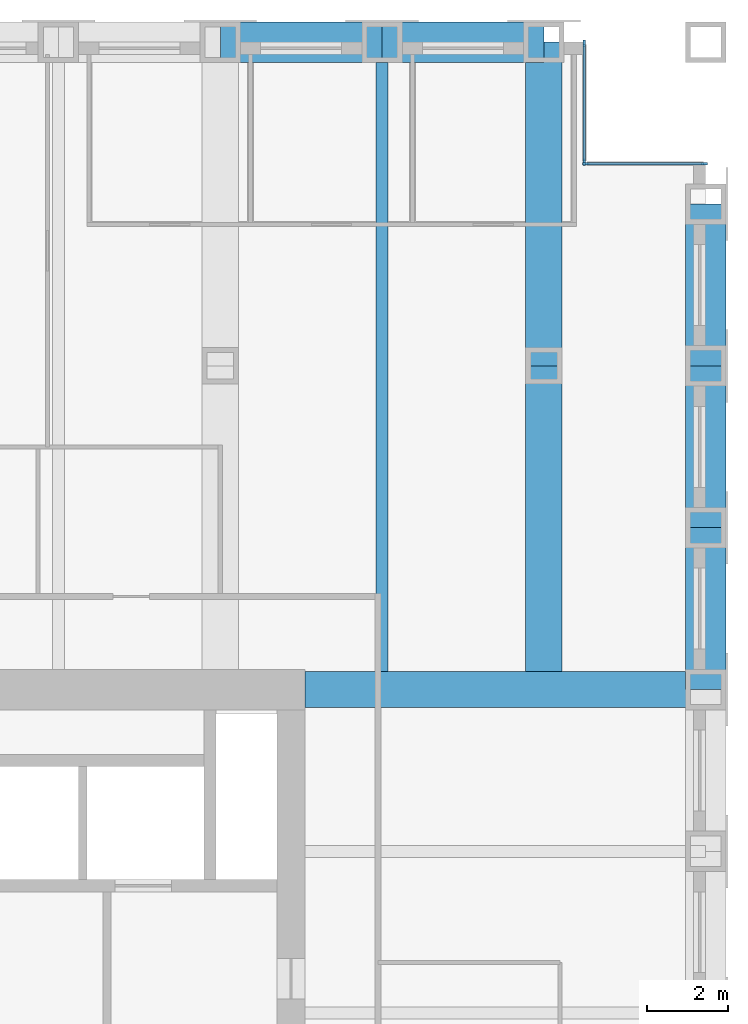
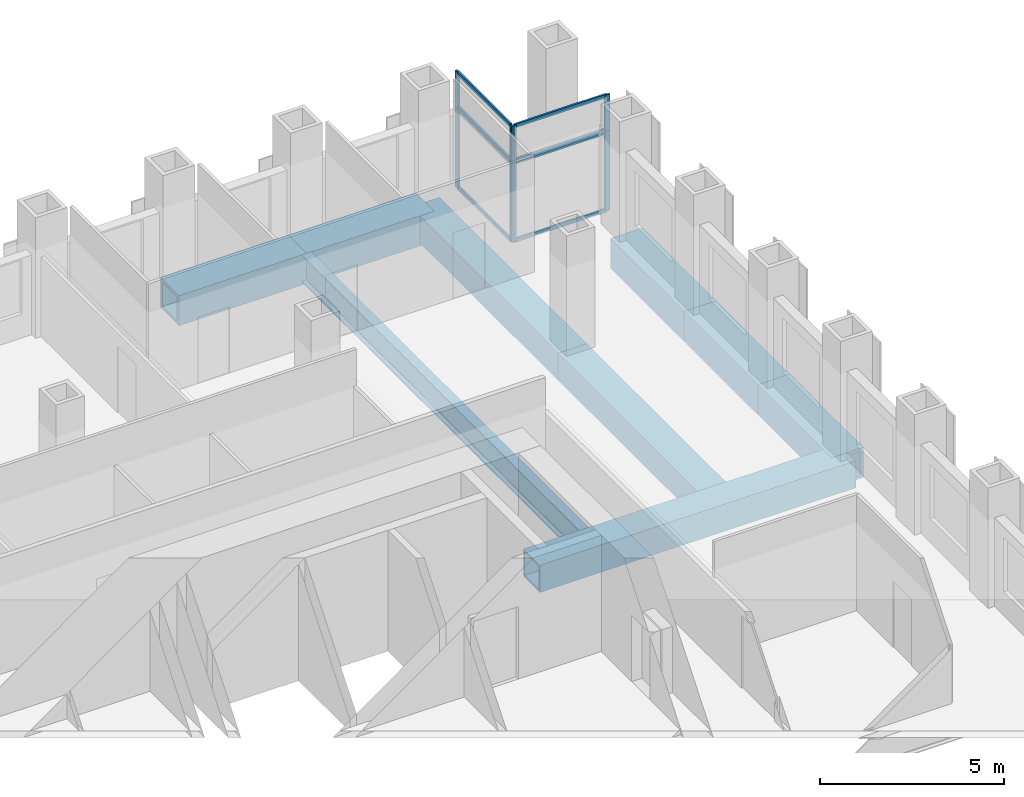
# One storey, part 6 of 12: 16 members, 9 beams, 4 elements without a shape of their own.
"""IFC4 building model written with IfcOpenShell, lengths in metres."""

from ifc_helpers import new_model, si_unit, direction, frame, origin, origin_2d, place, context, subcontext, project, spatial, rectangle, hollow_rectangle, i_section, extrude, material, material_profile, profile_set, type_object, element, aggregate, save


model = new_model("IFC4")

# Units and contexts
model_context = context("Model", 3, precision=1e-05, world=origin(), true_north=direction((0.0, 1.0)))
body_context = subcontext(model_context, "Body", "Model", "MODEL_VIEW")
ifc_project = project(units=[si_unit("LENGTHUNIT", "METRE"), si_unit("AREAUNIT", "SQUARE_METRE"), si_unit("VOLUMEUNIT", "CUBIC_METRE"), si_unit("PLANEANGLEUNIT", "RADIAN"), si_unit("MASSUNIT", "GRAM", prefix="KILO")], contexts=[model_context])

# Site, building, storey
site_placement = place(None, origin())
site = spatial("IfcSite", under=ifc_project, at=site_placement, CompositionType="ELEMENT")
building_placement = place(site_placement, origin())
building = spatial("IfcBuilding", under=site, at=building_placement, Name="Rimbunsela Tower", CompositionType="ELEMENT")
storey_placement = place(building_placement, frame((0.0, 0.0, 167.800048828125)))
storey = spatial("IfcBuildingStorey", under=building, at=storey_placement, Name="L40", CompositionType="ELEMENT", Elevation=167.800048828125)

# Beams
ifc_material_1 = material(Name="Steel BJ 55 (fy 410 MPa)", Category="steel")
ifc_material_profile_1 = material_profile(ifc_material_1, hollow_rectangle(XDim=1.0, YDim=1.0, WallThickness=0.10009765625, at=origin_2d()), Name="BOX 1000x1000x100")
ifc_profile_set_1 = profile_set([ifc_material_profile_1], Name="Steel BJ 55 (fy 410 MPa)")
beam_type_1 = type_object("IfcBeamType", Name="Beam BOX 1000x1000x100", PredefinedType="BEAM", material=ifc_profile_set_1)
for number, where, z_axis, x_axis, name in (
    (1, (34.0, 52.0, -0.650146484375), (1.0, 0.0, 0.0), (0.0, 1.0, 0.0), "Beam B3 L40"),
    (2, (38.0, 52.0, -0.650146484375), (1.0, 0.0, 0.0), (0.0, 1.0, 0.0), "Beam B3 L40"),
    (3, (46.0, 36.0, -0.650146484375), (0.0, 1.0, 0.0), (-1.0, 0.0, 0.0), "Beam B3 L40"),
    (4, (46.0, 40.0, -0.650146484375), (0.0, 1.0, 0.0), (-1.0, 0.0, 0.0), "Beam B3 L40"),
    (5, (46.0, 44.0, -0.650146484375), (0.0, 1.0, 0.0), (-1.0, 0.0, 0.0), "Beam B3 L40"),
):
    element("IfcBeam", number, at=place(storey_placement, frame(where, z_axis=z_axis, x_axis=x_axis)), inside=storey, type_object=beam_type_1, Name=name, PredefinedType="BEAM", context=body_context, shape_type="SweptSolid", body=[
        extrude(hollow_rectangle(XDim=1.0, YDim=1.0, WallThickness=0.10009765625, at=origin_2d()), origin(), (0.0, 0.0, 1.0), 4.0),
    ])
ifc_material_2 = material(Name="Steel BJ 55 (fy 410 MPa)", Category="steel")
ifc_material_profile_2 = material_profile(ifc_material_2, hollow_rectangle(XDim=0.89990234375, YDim=0.89990234375, WallThickness=0.06005859375, at=origin_2d()), Name="BOX 900x900x60")
ifc_profile_set_2 = profile_set([ifc_material_profile_2], Name="Steel BJ 55 (fy 410 MPa)")
beam_type_2 = type_object("IfcBeamType", Name="Beam BOX 900x900x60", PredefinedType="BEAM", material=ifc_profile_set_2)
beam_1_placement = place(storey_placement, frame((36.10009765625, 36.0, -0.60009765625), z_axis=(1.0, 0.0, 0.0), x_axis=(0.0, 1.0, 0.0)))
element("IfcBeam", 6, at=beam_1_placement, inside=storey, type_object=beam_type_2, Name="Beam B1 L40", PredefinedType="BEAM", context=body_context, shape_type="SweptSolid", body=[
    extrude(hollow_rectangle(XDim=0.89990234375, YDim=0.89990234375, WallThickness=0.06005859375, at=origin_2d()), origin(), (0.0, 0.0, 1.0), 9.89990234375),
])
beam_2_placement = place(storey_placement, frame((42.0, 36.449951171875, -0.60009765625), z_axis=(0.0, 1.0, 0.0), x_axis=(-1.0, 0.0, 0.0)))
element("IfcBeam", 7, at=beam_2_placement, inside=storey, type_object=beam_type_2, Name="Beam B1 L40", PredefinedType="BEAM", context=body_context, shape_type="SweptSolid", body=[
    extrude(hollow_rectangle(XDim=0.89990234375, YDim=0.89990234375, WallThickness=0.06005859375, at=origin_2d()), origin(), (0.0, 0.0, 1.0), 7.550048828125),
])
beam_3_placement = place(storey_placement, frame((42.0, 44.0, -0.60009765625), z_axis=(0.0, 1.0, 0.0), x_axis=(-1.0, 0.0, 0.0)))
element("IfcBeam", 8, at=beam_3_placement, inside=storey, type_object=beam_type_2, Name="Beam B1 L40", PredefinedType="BEAM", context=body_context, shape_type="SweptSolid", body=[
    extrude(hollow_rectangle(XDim=0.89990234375, YDim=0.89990234375, WallThickness=0.06005859375, at=origin_2d()), origin(), (0.0, 0.0, 1.0), 8.0),
])
ifc_material_3 = material(Name="Steel BJ 55 (fy 410 MPa)", Category="steel")
ifc_material_profile_3 = material_profile(ifc_material_3, i_section(OverallWidth=0.300048828125, OverallDepth=0.89990234375, WebThickness=0.01611328125, FlangeThickness=0.028076171875, FilletRadius=0.028076171875, at=origin_2d()), Name="H 900x300x16x28")
ifc_profile_set_3 = profile_set([ifc_material_profile_3], Name="Steel BJ 55 (fy 410 MPa)")
beam_type_3 = type_object("IfcBeamType", Name="Beam H 900x300x16x28", PredefinedType="BEAM", material=ifc_profile_set_3)
beam_4_placement = place(storey_placement, frame((38.0, 36.449951171875, -0.60009765625), z_axis=(0.0, 1.0, 0.0), x_axis=(-1.0, 0.0, 0.0)))
element("IfcBeam", 9, at=beam_4_placement, inside=storey, type_object=beam_type_3, Name="Beam B2 L40", PredefinedType="BEAM", context=body_context, shape_type="SweptSolid", body=[
    extrude(i_section(OverallWidth=0.300048828125, OverallDepth=0.89990234375, WebThickness=0.01611328125, FlangeThickness=0.028076171875, FilletRadius=0.028076171875, at=origin_2d()), origin(), (0.0, 0.0, 1.0), 15.550048828125),
])

# Curtain wall, members
ifc_material_4 = material(Name="Aluminium curtain wall", Category="aluminium")
curtain_wall_type_1 = type_object("IfcCurtainWallType", Name="Corner glazing", PredefinedType="USERDEFINED", material=ifc_material_4)
curtain_wall_1_placement = place(storey_placement, origin())
curtain_wall_1 = element("IfcCurtainWall", 10, at=curtain_wall_1_placement, inside=storey, type_object=curtain_wall_type_1, Name="Corner glazing L40", ObjectType="CORNER GLAZING", PredefinedType="USERDEFINED")
ifc_material_5 = material(Name="Aluminium mullion", Category="aluminium")
ifc_material_profile_4 = material_profile(ifc_material_5, rectangle(XDim=0.06005859375, YDim=0.159912109375, at=origin_2d()), Name="Mullion 60x160")
ifc_profile_set_4 = profile_set([ifc_material_profile_4], Name="Aluminium mullion")
member_type_1 = type_object("IfcMemberType", Name="Curtain wall mullion 60x160", PredefinedType="MULLION", material=ifc_profile_set_4)
member_1_placement = place(storey_placement, frame((45.969970703125, 49.0, 0.0), z_axis=(0.0, 0.0, 1.0), x_axis=(0.0, -1.0, 0.0)))
member_1 = element("IfcMember", 11, at=member_1_placement, type_object=member_type_1, Name="CW5 mullion 1", PredefinedType="MULLION", context=body_context, shape_type="SweptSolid", body=[
    extrude(rectangle(XDim=0.06005859375, YDim=0.159912109375, at=origin_2d()), origin(), (0.0, 0.0, 1.0), 2.64990234375),
])
member_2_placement = place(storey_placement, frame((43.030029296875, 49.0, 0.0), z_axis=(0.0, 0.0, 1.0), x_axis=(0.0, -1.0, 0.0)))
member_2 = element("IfcMember", 12, at=member_2_placement, type_object=member_type_1, Name="CW5 mullion 2", PredefinedType="MULLION", context=body_context, shape_type="SweptSolid", body=[
    extrude(rectangle(XDim=0.06005859375, YDim=0.159912109375, at=origin_2d()), origin(), (0.0, 0.0, 1.0), 2.64990234375),
])

ifc_material_6 = material(Name="Aluminium curtain wall", Category="aluminium")
curtain_wall_type_2 = type_object("IfcCurtainWallType", Name="Spandrel wall", PredefinedType="USERDEFINED", material=ifc_material_6)
curtain_wall_2_placement = place(storey_placement, origin())
curtain_wall_2 = element("IfcCurtainWall", 13, at=curtain_wall_2_placement, inside=storey, type_object=curtain_wall_type_2, Name="Spandrel wall L40", ObjectType="SPANDREL WALL", PredefinedType="USERDEFINED")
member_3_placement = place(storey_placement, frame((45.969970703125, 49.0, 2.64990234375), z_axis=(0.0, 0.0, 1.0), x_axis=(0.0, -1.0, 0.0)))
member_3 = element("IfcMember", 14, at=member_3_placement, type_object=member_type_1, Name="CW7 mullion 1", PredefinedType="MULLION", context=body_context, shape_type="SweptSolid", body=[
    extrude(rectangle(XDim=0.06005859375, YDim=0.159912109375, at=origin_2d()), origin(), (0.0, 0.0, 1.0), 1.199951171875),
])
member_4_placement = place(storey_placement, frame((43.030029296875, 49.0, 2.64990234375), z_axis=(0.0, 0.0, 1.0), x_axis=(0.0, -1.0, 0.0)))
member_4 = element("IfcMember", 15, at=member_4_placement, type_object=member_type_1, Name="CW7 mullion 2", PredefinedType="MULLION", context=body_context, shape_type="SweptSolid", body=[
    extrude(rectangle(XDim=0.06005859375, YDim=0.159912109375, at=origin_2d()), origin(), (0.0, 0.0, 1.0), 1.199951171875),
])

curtain_wall_3_placement = place(storey_placement, origin())
curtain_wall_3 = element("IfcCurtainWall", 16, at=curtain_wall_3_placement, inside=storey, type_object=curtain_wall_type_1, Name="Corner glazing L40", ObjectType="CORNER GLAZING", PredefinedType="USERDEFINED")
member_5_placement = place(storey_placement, frame((43.0, 49.030029296875, 0.0), z_axis=(0.0, 0.0, 1.0), x_axis=(-1.0, 0.0, 0.0)))
member_5 = element("IfcMember", 17, at=member_5_placement, type_object=member_type_1, Name="CW5 mullion 1", PredefinedType="MULLION", context=body_context, shape_type="SweptSolid", body=[
    extrude(rectangle(XDim=0.06005859375, YDim=0.159912109375, at=origin_2d()), origin(), (0.0, 0.0, 1.0), 2.64990234375),
])
member_6_placement = place(storey_placement, frame((43.0, 51.969970703125, 0.0), z_axis=(0.0, 0.0, 1.0), x_axis=(-1.0, 0.0, 0.0)))
member_6 = element("IfcMember", 18, at=member_6_placement, type_object=member_type_1, Name="CW5 mullion 2", PredefinedType="MULLION", context=body_context, shape_type="SweptSolid", body=[
    extrude(rectangle(XDim=0.06005859375, YDim=0.159912109375, at=origin_2d()), origin(), (0.0, 0.0, 1.0), 2.64990234375),
])

curtain_wall_4_placement = place(storey_placement, origin())
curtain_wall_4 = element("IfcCurtainWall", 19, at=curtain_wall_4_placement, inside=storey, type_object=curtain_wall_type_2, Name="Spandrel wall L40", ObjectType="SPANDREL WALL", PredefinedType="USERDEFINED")
member_7_placement = place(storey_placement, frame((43.0, 49.030029296875, 2.64990234375), z_axis=(0.0, 0.0, 1.0), x_axis=(-1.0, 0.0, 0.0)))
member_7 = element("IfcMember", 20, at=member_7_placement, type_object=member_type_1, Name="CW7 mullion 1", PredefinedType="MULLION", context=body_context, shape_type="SweptSolid", body=[
    extrude(rectangle(XDim=0.06005859375, YDim=0.159912109375, at=origin_2d()), origin(), (0.0, 0.0, 1.0), 1.199951171875),
])
member_8_placement = place(storey_placement, frame((43.0, 51.969970703125, 2.64990234375), z_axis=(0.0, 0.0, 1.0), x_axis=(-1.0, 0.0, 0.0)))
member_8 = element("IfcMember", 21, at=member_8_placement, type_object=member_type_1, Name="CW7 mullion 2", PredefinedType="MULLION", context=body_context, shape_type="SweptSolid", body=[
    extrude(rectangle(XDim=0.06005859375, YDim=0.159912109375, at=origin_2d()), origin(), (0.0, 0.0, 1.0), 1.199951171875),
])

# Member
ifc_material_7 = material(Name="Aluminium transom", Category="aluminium")
ifc_material_profile_5 = material_profile(ifc_material_7, rectangle(XDim=0.06005859375, YDim=0.1201171875, at=origin_2d()), Name="Transom 60x120")
ifc_profile_set_5 = profile_set([ifc_material_profile_5], Name="Aluminium transom")
member_type_2 = type_object("IfcMemberType", Name="Curtain wall transom 60x120", PredefinedType="USERDEFINED", material=ifc_profile_set_5)
member_9_placement = place(storey_placement, frame((45.93994140625, 49.0, 0.030029296875), z_axis=(-1.0, 0.0, 0.0), x_axis=(0.0, -1.0, 0.0)))
member_9 = element("IfcMember", 22, at=member_9_placement, type_object=member_type_2, Name="CW5 transom 1.1", ObjectType="TRANSOM", PredefinedType="USERDEFINED", context=body_context, shape_type="SweptSolid", body=[
    extrude(rectangle(XDim=0.06005859375, YDim=0.1201171875, at=origin_2d()), origin(), (0.0, 0.0, 1.0), 2.8798828125),
])

member_10_placement = place(storey_placement, frame((45.93994140625, 49.0, 2.619873046875), z_axis=(-1.0, 0.0, 0.0), x_axis=(0.0, -1.0, 0.0)))
member_10 = element("IfcMember", 23, at=member_10_placement, type_object=member_type_2, Name="CW5 transom 1.2", ObjectType="TRANSOM", PredefinedType="USERDEFINED", context=body_context, shape_type="SweptSolid", body=[
    extrude(rectangle(XDim=0.06005859375, YDim=0.1201171875, at=origin_2d()), origin(), (0.0, 0.0, 1.0), 2.8798828125),
])

aggregate(curtain_wall_1, [member_1, member_2, member_9, member_10])

member_11_placement = place(storey_placement, frame((45.93994140625, 49.0, 2.679931640625), z_axis=(-1.0, 0.0, 0.0), x_axis=(0.0, -1.0, 0.0)))
member_11 = element("IfcMember", 24, at=member_11_placement, type_object=member_type_2, Name="CW7 transom 1.1", ObjectType="TRANSOM", PredefinedType="USERDEFINED", context=body_context, shape_type="SweptSolid", body=[
    extrude(rectangle(XDim=0.06005859375, YDim=0.1201171875, at=origin_2d()), origin(), (0.0, 0.0, 1.0), 2.8798828125),
])

member_12_placement = place(storey_placement, frame((45.93994140625, 49.0, 3.820068359375), z_axis=(-1.0, 0.0, 0.0), x_axis=(0.0, -1.0, 0.0)))
member_12 = element("IfcMember", 25, at=member_12_placement, type_object=member_type_2, Name="CW7 transom 1.2", ObjectType="TRANSOM", PredefinedType="USERDEFINED", context=body_context, shape_type="SweptSolid", body=[
    extrude(rectangle(XDim=0.06005859375, YDim=0.1201171875, at=origin_2d()), origin(), (0.0, 0.0, 1.0), 2.8798828125),
])

aggregate(curtain_wall_2, [member_3, member_4, member_11, member_12])

member_13_placement = place(storey_placement, frame((43.0, 49.06005859375, 0.030029296875), z_axis=(0.0, 1.0, 0.0), x_axis=(-1.0, 0.0, 0.0)))
member_13 = element("IfcMember", 26, at=member_13_placement, type_object=member_type_2, Name="CW5 transom 1.1", ObjectType="TRANSOM", PredefinedType="USERDEFINED", context=body_context, shape_type="SweptSolid", body=[
    extrude(rectangle(XDim=0.06005859375, YDim=0.1201171875, at=origin_2d()), origin(), (0.0, 0.0, 1.0), 2.8798828125),
])

member_14_placement = place(storey_placement, frame((43.0, 49.06005859375, 2.619873046875), z_axis=(0.0, 1.0, 0.0), x_axis=(-1.0, 0.0, 0.0)))
member_14 = element("IfcMember", 27, at=member_14_placement, type_object=member_type_2, Name="CW5 transom 1.2", ObjectType="TRANSOM", PredefinedType="USERDEFINED", context=body_context, shape_type="SweptSolid", body=[
    extrude(rectangle(XDim=0.06005859375, YDim=0.1201171875, at=origin_2d()), origin(), (0.0, 0.0, 1.0), 2.8798828125),
])

aggregate(curtain_wall_3, [member_5, member_6, member_13, member_14])

member_15_placement = place(storey_placement, frame((43.0, 49.06005859375, 2.679931640625), z_axis=(0.0, 1.0, 0.0), x_axis=(-1.0, 0.0, 0.0)))
member_15 = element("IfcMember", 28, at=member_15_placement, type_object=member_type_2, Name="CW7 transom 1.1", ObjectType="TRANSOM", PredefinedType="USERDEFINED", context=body_context, shape_type="SweptSolid", body=[
    extrude(rectangle(XDim=0.06005859375, YDim=0.1201171875, at=origin_2d()), origin(), (0.0, 0.0, 1.0), 2.8798828125),
])

member_16_placement = place(storey_placement, frame((43.0, 49.06005859375, 3.820068359375), z_axis=(0.0, 1.0, 0.0), x_axis=(-1.0, 0.0, 0.0)))
member_16 = element("IfcMember", 29, at=member_16_placement, type_object=member_type_2, Name="CW7 transom 1.2", ObjectType="TRANSOM", PredefinedType="USERDEFINED", context=body_context, shape_type="SweptSolid", body=[
    extrude(rectangle(XDim=0.06005859375, YDim=0.1201171875, at=origin_2d()), origin(), (0.0, 0.0, 1.0), 2.8798828125),
])

aggregate(curtain_wall_4, [member_7, member_8, member_15, member_16])

save(model, "model.ifc")
